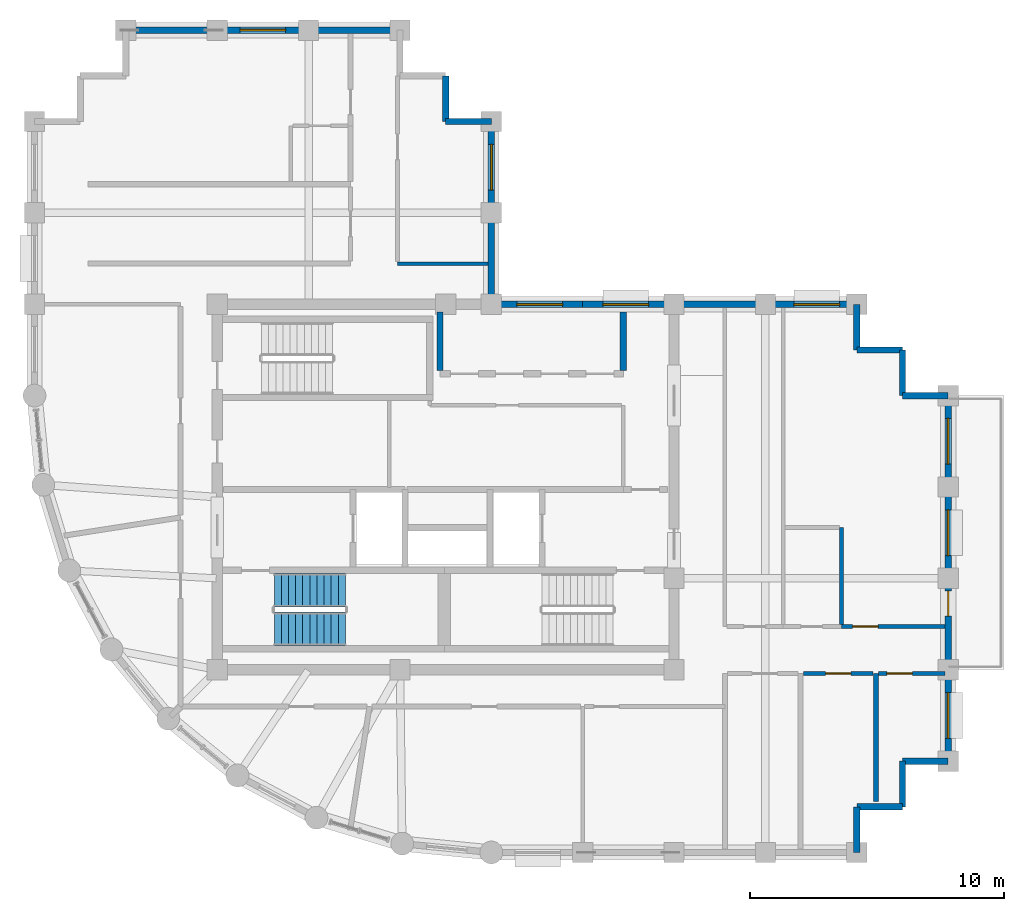
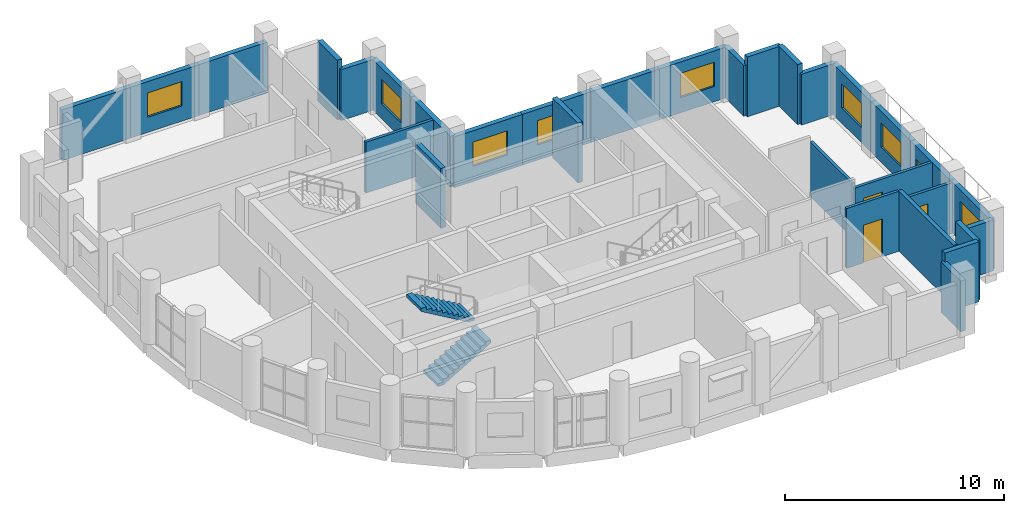
# One storey, part 9 of 12: 31 walls, 8 windows, 4 doors, 2 stair flights, 12 openings, 1 element without a shape of its own.
"""IFC4 building model written with IfcOpenShell, lengths in metres."""

import ifcopenshell
import ifcopenshell.guid

model = None  # the IFC model being written
_history = None  # IfcOwnerHistory: only IFC2X3 demands one
_inside = {}  # id of a spatial element -> (the spatial element, [elements in it])
_under = {}  # id of a project, library or spatial element -> (it, [spatial elements below it])
_declared = {}  # id of a project -> (the project, [libraries it declares])
_typed = {}  # id of a type object -> (the type object, [elements of that type])
_made_of = {}  # id of a material, layer set ... -> (it, [elements and type objects made of it])


def new_model(schema):
    """Start an empty IFC model of exactly this schema.

    Asked for "IFC4X3", IfcOpenShell would pick the latest addendum, in which some entities
    have other attributes; the version numbers below select the first issue.
    IFC2X3 requires an IfcOwnerHistory on every rooted entity: one is made here for all.
    """
    global model, _history
    if schema == "IFC4X3":
        model = ifcopenshell.file(schema_version=(4, 3, 0, 0))
    else:
        model = ifcopenshell.file(schema=schema)
    _inside.clear()
    _under.clear()
    _declared.clear()
    _typed.clear()
    _made_of.clear()
    _history = None
    if model.schema == "IFC2X3":
        org = make("IfcOrganization", Name="unknown")
        user = make(
            "IfcPersonAndOrganization",
            ThePerson=make("IfcPerson", FamilyName="unknown"),
            TheOrganization=org,
        )
        app = make(
            "IfcApplication",
            ApplicationDeveloper=org,
            Version="unknown",
            ApplicationFullName="unknown",
            ApplicationIdentifier="unknown",
        )
        _history = make(
            "IfcOwnerHistory",
            OwningUser=user,
            OwningApplication=app,
            ChangeAction="ADDED",
            CreationDate=0,
        )
    return model


def make(cls, **values):
    """One entity of the class cls with the attributes given. An attribute that is None is left unset."""
    return model.create_entity(
        cls, **{name: value for name, value in values.items() if value is not None}
    )


def rooted(cls, **values):
    """An entity with a GlobalId (a new one), such as an element, a storey or a relation."""
    return make(cls, GlobalId=ifcopenshell.guid.new(), OwnerHistory=_history, **values)


def si_unit(unit_type, name, prefix=None):
    """IfcSIUnit, for example si_unit("LENGTHUNIT", "METRE", prefix="MILLI")."""
    return make("IfcSIUnit", UnitType=unit_type, Prefix=prefix, Name=name)


def assignment(units):
    """IfcUnitAssignment: the units of a project."""
    return None if units is None else make("IfcUnitAssignment", Units=units)


def point(xyz):
    """IfcCartesianPoint."""
    return None if xyz is None else make("IfcCartesianPoint", Coordinates=xyz)


def direction(xyz):
    """IfcDirection."""
    return None if xyz is None else make("IfcDirection", DirectionRatios=xyz)


def frame(location, z_axis=None, x_axis=None):
    """IfcAxis2Placement3D, a coordinate frame: its origin and axes. An axis left out is left unset."""
    return make(
        "IfcAxis2Placement3D",
        Location=point(location),
        Axis=direction(z_axis),
        RefDirection=direction(x_axis),
    )


def frame_2d(location, x_axis=None):
    """IfcAxis2Placement2D, a coordinate frame in the plane: its origin and x axis."""
    return make(
        "IfcAxis2Placement2D", Location=point(location), RefDirection=direction(x_axis)
    )


def origin():
    """The frame at (0, 0, 0) with its axes left unset."""
    return frame((0.0, 0.0, 0.0))


def place(relative_to, where):
    """IfcLocalPlacement: puts the frame where relative to a parent placement (None: the world)."""
    return make(
        "IfcLocalPlacement", PlacementRelTo=relative_to, RelativePlacement=where
    )


def context(
    kind, dimensions, precision=None, world=None, true_north=None, identifier=None
):
    """IfcGeometricRepresentationContext, for example the 3D "Model" context."""
    return make(
        "IfcGeometricRepresentationContext",
        ContextIdentifier=identifier,
        ContextType=kind,
        CoordinateSpaceDimension=dimensions,
        Precision=precision,
        WorldCoordinateSystem=world,
        TrueNorth=true_north,
    )


def subcontext(parent, identifier, kind, view, scale=None):
    """IfcGeometricRepresentationSubContext, for example "Body" below "Model"."""
    return make(
        "IfcGeometricRepresentationSubContext",
        ContextIdentifier=identifier,
        ContextType=kind,
        ParentContext=parent,
        TargetScale=scale,
        TargetView=view,
    )


def project(units=None, contexts=None):
    """IfcProject with its units and contexts."""
    return rooted(
        "IfcProject",
        Name="project",
        RepresentationContexts=contexts,
        UnitsInContext=assignment(units),
    )


def spatial(cls, under=None, at=None, **own):
    """A site, building, storey or space (cls), placed at a placement, below another one or the project."""
    s = rooted(cls, ObjectPlacement=at, **own)
    if under is not None:
        _under.setdefault(under.id(), (under, []))[1].append(s)
    return s


def polyline(points):
    """IfcPolyline through the points."""
    return make("IfcPolyline", Points=[point(p) for p in points])


def profile(cls, at=None, kind="AREA", **sizes):
    """A parametric profile (cls). Its sizes go by their IFC names, for example OverallWidth=200.0."""
    return make(cls, ProfileType=kind, Position=at, **sizes)


def rectangle(**sizes):
    """IfcRectangleProfileDef."""
    return profile("IfcRectangleProfileDef", **sizes)


def outline(outer, holes=None, kind="AREA"):
    """IfcArbitraryClosedProfileDef: a profile drawn as a closed curve; with holes, ...WithVoids."""
    if holes is None:
        return make("IfcArbitraryClosedProfileDef", ProfileType=kind, OuterCurve=outer)
    return make(
        "IfcArbitraryProfileDefWithVoids",
        ProfileType=kind,
        OuterCurve=outer,
        InnerCurves=holes,
    )


def extrude(swept, where, along, depth):
    """IfcExtrudedAreaSolid: the profile swept, set in the frame where, extruded along a direction by depth."""
    return make(
        "IfcExtrudedAreaSolid",
        SweptArea=swept,
        Position=where,
        ExtrudedDirection=direction(along),
        Depth=depth,
    )


def shape(context_of_items, identifier, shape_type, items):
    """IfcShapeRepresentation: the items that make up one representation, for example the "Body"."""
    return make(
        "IfcShapeRepresentation",
        ContextOfItems=context_of_items,
        RepresentationIdentifier=identifier,
        RepresentationType=shape_type,
        Items=items,
    )


def material(Name=None, Category=None):
    """IfcMaterial."""
    return make("IfcMaterial", Name=Name, Category=Category)


def layer(
    of_material, thickness, ventilated=None, Name=None, Category=None, Priority=None
):
    """IfcMaterialLayer: one layer of a wall or slab, of a material (None: an air gap)."""
    return make(
        "IfcMaterialLayer",
        Material=of_material,
        LayerThickness=thickness,
        IsVentilated=ventilated,
        Name=Name,
        Category=Category,
        Priority=Priority,
    )


def layer_set(layers, Name=None):
    """IfcMaterialLayerSet."""
    return make("IfcMaterialLayerSet", MaterialLayers=layers, LayerSetName=Name)


def made_of(thing, what):
    """Note that an element or type object is made of a material, layer set ...; save() writes the relation."""
    if what is not None:
        _made_of.setdefault(what.id(), (what, []))[1].append(thing)
    return thing


def type_object(cls, material=None, **own):
    """A type object (cls), such as IfcWallType, which elements share."""
    return made_of(rooted(cls, **own), material)


def element(
    cls,
    number,
    at=None,
    inside=None,
    cuts=None,
    type_object=None,
    material=None,
    context=None,
    identifier="Body",
    shape_type=None,
    held_by="IfcProductDefinitionShape",
    body=None,
    shapes=None,
    **own,
):
    """One element of the class cls, such as IfcWall. Its Tag is "e" and its number.

    at: its placement. inside: the storey or other place that contains it. cuts: it is an
    opening in that element (IfcRelVoidsElement). A single representation is given by context,
    identifier, shape_type and body (its items); several are given by shapes. held_by: the class
    of the entity that holds the representations. save() writes the other relations.
    """
    e = rooted(cls, Tag="e%d" % number, ObjectPlacement=at, **own)
    if body is not None:
        shapes = [shape(context, identifier, shape_type, body)]
    if shapes is not None:
        e.Representation = make(held_by, Representations=shapes)
    if inside is not None:
        _inside.setdefault(inside.id(), (inside, []))[1].append(e)
    if cuts is not None:
        rooted(
            "IfcRelVoidsElement", RelatingBuildingElement=cuts, RelatedOpeningElement=e
        )
    if type_object is not None:
        _typed.setdefault(type_object.id(), (type_object, []))[1].append(e)
    return made_of(e, material)


def fill(opening, filler):
    """IfcRelFillsElement: the door or window that sits in an opening."""
    return rooted(
        "IfcRelFillsElement",
        RelatingOpeningElement=opening,
        RelatedBuildingElement=filler,
    )


def aggregate(whole, parts):
    """IfcRelAggregates: a whole, such as a stair, and the parts it consists of."""
    return rooted("IfcRelAggregates", RelatingObject=whole, RelatedObjects=parts)


def save(model, path):
    """Write the relations noted so far, then the file.

    IfcRelAggregates (storeys below a building ...), IfcRelContainedInSpatialStructure (elements
    in a storey), IfcRelDefinesByType, IfcRelAssociatesMaterial and IfcRelDeclares: one each for
    every whole, place, type object, material and project.
    """
    for whole, parts in _under.values():
        aggregate(whole, parts)
    for where, things in _inside.values():
        rooted(
            "IfcRelContainedInSpatialStructure",
            RelatedElements=things,
            RelatingStructure=where,
        )
    for kind, things in _typed.values():
        rooted("IfcRelDefinesByType", RelatedObjects=things, RelatingType=kind)
    for what, things in _made_of.values():
        rooted("IfcRelAssociatesMaterial", RelatedObjects=things, RelatingMaterial=what)
    for by, libraries in _declared.values():
        rooted("IfcRelDeclares", RelatingContext=by, RelatedDefinitions=libraries)
    model.write(path)


model = new_model("IFC4")

# Units and contexts
model_context = context("Model", 3, precision=1e-05, world=origin(), true_north=direction((0.0, 1.0)))
body_context = subcontext(model_context, "Body", "Model", "MODEL_VIEW")
ifc_project = project(units=[si_unit("LENGTHUNIT", "METRE"), si_unit("AREAUNIT", "SQUARE_METRE"), si_unit("VOLUMEUNIT", "CUBIC_METRE"), si_unit("PLANEANGLEUNIT", "RADIAN"), si_unit("MASSUNIT", "GRAM", prefix="KILO")], contexts=[model_context])

# Site, building, storey
site_placement = place(None, origin())
site = spatial("IfcSite", under=ifc_project, at=site_placement, CompositionType="ELEMENT")
building_placement = place(site_placement, origin())
building = spatial("IfcBuilding", under=site, at=building_placement, Name="Solnavia Interchange Tower", CompositionType="ELEMENT")
storey_placement = place(building_placement, frame((0.0, 0.0, 228.199951171875)))
storey = spatial("IfcBuildingStorey", under=building, at=storey_placement, Name="L57", CompositionType="ELEMENT", Elevation=228.199951171875)

# Walls
ifc_material_1 = material(Name="Gypsum Acoustic Twin-Stud & Mineral Wool", Category="gypsum")
ifc_layer_1 = layer(ifc_material_1, 0.199951171875)
ifc_layer_set_1 = layer_set([ifc_layer_1], Name="Gypsum Acoustic Twin-Stud & Mineral Wool")
wall_type_1 = type_object("IfcWallType", Name="Wall-ApartmentParty-200", PredefinedType="PARTITIONING", material=ifc_layer_set_1)
wall_1_placement = place(storey_placement, frame((40.35009765625, 5.60498046875, 0.0), z_axis=(0.0, 0.0, 1.0), x_axis=(0.0, 1.0, 0.0)))
element("IfcWall", 1, at=wall_1_placement, inside=storey, type_object=wall_type_1, Name="PTW-L57-20 Interior partition wall", PredefinedType="PARTITIONING", context=body_context, shape_type="SweptSolid", body=[
    extrude(rectangle(XDim=5.044921875, YDim=0.199951171875, at=frame_2d((2.5224609375, 0.0))), origin(), (0.0, 0.0, 1.0), 3.3349609375),
])
ifc_material_2 = material(Name="Concrete C40/50", Category="concrete")
ifc_layer_2 = layer(ifc_material_2, 0.25)
ifc_layer_set_2 = layer_set([ifc_layer_2], Name="Concrete C40/50")
wall_type_2 = type_object("IfcWallType", Name="Wall-ExtSpandrel-250", PredefinedType="STANDARD", material=ifc_layer_set_2)
wall_2_placement = place(storey_placement, frame((39.60009765625, 5.39990234375, 0.0), z_axis=(0.0, 0.0, 1.0), x_axis=(0.0, -1.0, 0.0)))
element("IfcWall", 2, at=wall_2_placement, inside=storey, type_object=wall_type_2, Name="EXW-L57-05 Exterior precast spandrel wall", PredefinedType="STANDARD", context=body_context, shape_type="SweptSolid", body=[
    extrude(rectangle(XDim=1.7998046875, YDim=0.25, at=frame_2d((0.89990234375, 0.0))), origin(), (0.0, 0.0, 1.0), 2.830078125),
])
wall_3_placement = place(storey_placement, frame((41.39990234375, 5.39990234375, 0.0), z_axis=(0.0, 0.0, 1.0), x_axis=(-1.0, 0.0, 0.0)))
element("IfcWall", 3, at=wall_3_placement, inside=storey, type_object=wall_type_2, Name="EXW-L57-06 Exterior precast spandrel wall", PredefinedType="STANDARD", context=body_context, shape_type="SweptSolid", body=[
    extrude(rectangle(XDim=1.7998046875, YDim=0.25, at=frame_2d((0.89990234375, 0.0))), origin(), (0.0, 0.0, 1.0), 3.3349609375),
])
wall_4_placement = place(storey_placement, frame((41.39990234375, 7.199951171875, 0.0), z_axis=(0.0, 0.0, 1.0), x_axis=(0.0, -1.0, 0.0)))
element("IfcWall", 4, at=wall_4_placement, inside=storey, type_object=wall_type_2, Name="EXW-L57-07 Exterior precast spandrel wall", PredefinedType="STANDARD", context=body_context, shape_type="SweptSolid", body=[
    extrude(rectangle(XDim=1.800048828125, YDim=0.25, at=frame_2d((0.89990234375, 0.0))), origin(), (0.0, 0.0, 1.0), 3.3349609375),
])
wall_5_placement = place(storey_placement, frame((43.199951171875, 7.199951171875, 0.0), z_axis=(0.0, 0.0, 1.0), x_axis=(-1.0, 0.0, 0.0)))
element("IfcWall", 5, at=wall_5_placement, inside=storey, type_object=wall_type_2, Name="EXW-L57-08 Exterior precast spandrel wall", PredefinedType="STANDARD", context=body_context, shape_type="SweptSolid", body=[
    extrude(rectangle(XDim=1.800048828125, YDim=0.25, at=frame_2d((0.89990234375, 0.0))), origin(), (0.0, 0.0, 1.0), 2.830078125),
])

# Wall, opening, window
wall_6_placement = place(storey_placement, frame((43.199951171875, 10.800048828125, 0.0), z_axis=(0.0, 0.0, 1.0), x_axis=(0.0, -1.0, 0.0)))
wall_6 = element("IfcWall", 6, at=wall_6_placement, inside=storey, type_object=wall_type_2, Name="EXW-L57-09 Exterior precast spandrel wall", PredefinedType="STANDARD", context=body_context, shape_type="SweptSolid", body=[
    extrude(rectangle(XDim=3.60009765625, YDim=0.25, at=frame_2d((1.800048828125, 0.0))), origin(), (0.0, 0.0, 1.0), 2.830078125),
])
opening_1_placement = place(wall_6_placement, frame((0.89990234375, 0.0, 0.85009765625)))
opening_1 = element("IfcOpeningElement", 7, at=opening_1_placement, cuts=wall_6, Name="Opening WIN-02", PredefinedType="OPENING", context=body_context, shape_type="SweptSolid", body=[
    extrude(rectangle(XDim=1.800048828125, YDim=1.35009765625, at=frame_2d((0.89990234375, 0.675048828125))), frame((0.0, 0.135009765625, 0.0), z_axis=(0.0, -1.0, 0.0), x_axis=(1.0, 0.0, 0.0)), (0.0, 0.0, 1.0), 0.27001953125),
])
ifc_material_3 = material(Name="Thermal-Break Aluminium & Low-E Glass", Category="aluminium")
window_type = type_object("IfcWindowType", Name="Window-Ribbon-1800x1350", PartitioningType="SINGLE_PANEL", PredefinedType="WINDOW", material=ifc_material_3)
window_1_placement = place(opening_1_placement, origin())
window_1 = element("IfcWindow", 8, at=window_1_placement, inside=storey, type_object=window_type, Name="WIN-L57-09 Facade ribbon window", OverallHeight=1.35009765625, OverallWidth=1.800048828125, PartitioningType="SINGLE_PANEL", PredefinedType="WINDOW", context=body_context, shape_type="SweptSolid", body=[
    extrude(rectangle(XDim=1.800048828125, YDim=1.35009765625, at=frame_2d((0.89990234375, 0.675048828125))), frame((0.0, 0.030029296875, 0.0), z_axis=(0.0, -1.0, 0.0), x_axis=(1.0, 0.0, 0.0)), (0.0, 0.0, 1.0), 0.06005859375),
])
fill(opening_1, window_1)

# Wall, opening, door
wall_7_placement = place(storey_placement, frame((43.199951171875, 14.39990234375, 0.0), z_axis=(0.0, 0.0, 1.0), x_axis=(0.0, -1.0, 0.0)))
wall_7 = element("IfcWall", 9, at=wall_7_placement, inside=storey, type_object=wall_type_2, Name="EXW-L57-10 Exterior precast spandrel wall", PredefinedType="STANDARD", context=body_context, shape_type="SweptSolid", body=[
    extrude(rectangle(XDim=3.599853515625, YDim=0.25, at=frame_2d((1.7998046875, 0.0))), origin(), (0.0, 0.0, 1.0), 2.830078125),
])
opening_2_placement = place(wall_7_placement, frame((0.490966796875, 0.0, 0.0)))
opening_2 = element("IfcOpeningElement", 10, at=opening_2_placement, cuts=wall_7, Name="Opening EXD-05", PredefinedType="OPENING", context=body_context, shape_type="SweptSolid", body=[
    extrude(rectangle(XDim=1.0, YDim=2.10009765625, at=frame_2d((0.5, 1.050048828125))), frame((0.0, 0.135009765625, 0.0), z_axis=(0.0, -1.0, 0.0), x_axis=(1.0, 0.0, 0.0)), (0.0, 0.0, 1.0), 0.27001953125),
])
ifc_material_4 = material(Name="Thermally Broken Aluminium & Laminated Glass", Category="aluminium")
door_type_1 = type_object("IfcDoorType", Name="Door-TerraceSingle-1000x2100", OperationType="SINGLE_SWING_LEFT", PredefinedType="DOOR", material=ifc_material_4)
door_1_placement = place(opening_2_placement, origin())
door_1 = element("IfcDoor", 11, at=door_1_placement, inside=storey, type_object=door_type_1, Name="EXD-L57-TER Spiral terrace glazed door", OperationType="SINGLE_SWING_LEFT", OverallHeight=2.10009765625, OverallWidth=1.0, PredefinedType="DOOR", context=body_context, shape_type="SweptSolid", body=[
    extrude(rectangle(XDim=1.0, YDim=2.10009765625, at=frame_2d((0.5, 1.050048828125))), frame((0.0, 0.02490234375, 0.0), z_axis=(0.0, -1.0, 0.0), x_axis=(1.0, 0.0, 0.0)), (0.0, 0.0, 1.0), 0.050048828125),
])
fill(opening_2, door_1)

# Wall, opening, window
wall_8_placement = place(storey_placement, frame((43.199951171875, 18.0, 0.0), z_axis=(0.0, 0.0, 1.0), x_axis=(0.0, -1.0, 0.0)))
wall_8 = element("IfcWall", 12, at=wall_8_placement, inside=storey, type_object=wall_type_2, Name="EXW-L57-11 Exterior precast spandrel wall", PredefinedType="STANDARD", context=body_context, shape_type="SweptSolid", body=[
    extrude(rectangle(XDim=3.60009765625, YDim=0.25, at=frame_2d((1.800048828125, 0.0))), origin(), (0.0, 0.0, 1.0), 2.830078125),
])
opening_3_placement = place(wall_8_placement, frame((0.89990234375, 0.0, 0.85009765625)))
opening_3 = element("IfcOpeningElement", 13, at=opening_3_placement, cuts=wall_8, Name="Opening WIN-02", PredefinedType="OPENING", context=body_context, shape_type="SweptSolid", body=[
    extrude(rectangle(XDim=1.800048828125, YDim=1.35009765625, at=frame_2d((0.89990234375, 0.675048828125))), frame((0.0, 0.135009765625, 0.0), z_axis=(0.0, -1.0, 0.0), x_axis=(1.0, 0.0, 0.0)), (0.0, 0.0, 1.0), 0.27001953125),
])
window_2_placement = place(opening_3_placement, origin())
window_2 = element("IfcWindow", 14, at=window_2_placement, inside=storey, type_object=window_type, Name="WIN-L57-11 Facade ribbon window", OverallHeight=1.35009765625, OverallWidth=1.800048828125, PartitioningType="SINGLE_PANEL", PredefinedType="WINDOW", context=body_context, shape_type="SweptSolid", body=[
    extrude(rectangle(XDim=1.800048828125, YDim=1.35009765625, at=frame_2d((0.89990234375, 0.675048828125))), frame((0.0, 0.030029296875, 0.0), z_axis=(0.0, -1.0, 0.0), x_axis=(1.0, 0.0, 0.0)), (0.0, 0.0, 1.0), 0.06005859375),
])
fill(opening_3, window_2)

wall_9_placement = place(storey_placement, frame((43.199951171875, 21.60009765625, 0.0), z_axis=(0.0, 0.0, 1.0), x_axis=(0.0, -1.0, 0.0)))
wall_9 = element("IfcWall", 15, at=wall_9_placement, inside=storey, type_object=wall_type_2, Name="EXW-L57-12 Exterior precast spandrel wall", PredefinedType="STANDARD", context=body_context, shape_type="SweptSolid", body=[
    extrude(rectangle(XDim=3.60009765625, YDim=0.25, at=frame_2d((1.800048828125, 0.0))), origin(), (0.0, 0.0, 1.0), 2.830078125),
])
opening_4_placement = place(wall_9_placement, frame((0.89990234375, 0.0, 0.85009765625)))
opening_4 = element("IfcOpeningElement", 16, at=opening_4_placement, cuts=wall_9, Name="Opening WIN-02", PredefinedType="OPENING", context=body_context, shape_type="SweptSolid", body=[
    extrude(rectangle(XDim=1.800048828125, YDim=1.35009765625, at=frame_2d((0.89990234375, 0.675048828125))), frame((0.0, 0.135009765625, 0.0), z_axis=(0.0, -1.0, 0.0), x_axis=(1.0, 0.0, 0.0)), (0.0, 0.0, 1.0), 0.27001953125),
])
window_3_placement = place(opening_4_placement, origin())
window_3 = element("IfcWindow", 17, at=window_3_placement, inside=storey, type_object=window_type, Name="WIN-L57-12 Facade ribbon window", OverallHeight=1.35009765625, OverallWidth=1.800048828125, PartitioningType="SINGLE_PANEL", PredefinedType="WINDOW", context=body_context, shape_type="SweptSolid", body=[
    extrude(rectangle(XDim=1.800048828125, YDim=1.35009765625, at=frame_2d((0.89990234375, 0.675048828125))), frame((0.0, 0.030029296875, 0.0), z_axis=(0.0, -1.0, 0.0), x_axis=(1.0, 0.0, 0.0)), (0.0, 0.0, 1.0), 0.06005859375),
])
fill(opening_4, window_3)

# Walls
wall_10_placement = place(storey_placement, frame((41.39990234375, 21.60009765625, 0.0), z_axis=(0.0, 0.0, 1.0), x_axis=(1.0, 0.0, 0.0)))
element("IfcWall", 18, at=wall_10_placement, inside=storey, type_object=wall_type_2, Name="EXW-L57-13 Exterior precast spandrel wall", PredefinedType="STANDARD", context=body_context, shape_type="SweptSolid", body=[
    extrude(rectangle(XDim=1.800048828125, YDim=0.25, at=frame_2d((0.89990234375, 0.0))), origin(), (0.0, 0.0, 1.0), 2.830078125),
])
for number, where, z_axis, x_axis, name in (
    (19, (41.39990234375, 23.39990234375, 0.0), (0.0, 0.0, 1.0), (0.0, -1.0, 0.0), "EXW-L57-14 Exterior precast spandrel wall"),
    (20, (39.60009765625, 23.39990234375, 0.0), (0.0, 0.0, 1.0), (1.0, 0.0, 0.0), "EXW-L57-15 Exterior precast spandrel wall"),
):
    element("IfcWall", number, at=place(storey_placement, frame(where, z_axis=z_axis, x_axis=x_axis)), inside=storey, type_object=wall_type_2, Name=name, PredefinedType="STANDARD", context=body_context, shape_type="SweptSolid", body=[
        extrude(rectangle(XDim=1.7998046875, YDim=0.25, at=frame_2d((0.89990234375, 0.0))), origin(), (0.0, 0.0, 1.0), 3.3349609375),
    ])
wall_11_placement = place(storey_placement, frame((39.60009765625, 25.199951171875, 0.0), z_axis=(0.0, 0.0, 1.0), x_axis=(0.0, -1.0, 0.0)))
element("IfcWall", 21, at=wall_11_placement, inside=storey, type_object=wall_type_2, Name="EXW-L57-16 Exterior precast spandrel wall", PredefinedType="STANDARD", context=body_context, shape_type="SweptSolid", body=[
    extrude(rectangle(XDim=1.800048828125, YDim=0.25, at=frame_2d((0.89990234375, 0.0))), origin(), (0.0, 0.0, 1.0), 2.830078125),
])

# Wall, opening, window
wall_12_placement = place(storey_placement, frame((36.0, 25.199951171875, 0.0), z_axis=(0.0, 0.0, 1.0), x_axis=(1.0, 0.0, 0.0)))
wall_12 = element("IfcWall", 22, at=wall_12_placement, inside=storey, type_object=wall_type_2, Name="EXW-L57-17 Exterior precast spandrel wall", PredefinedType="STANDARD", context=body_context, shape_type="SweptSolid", body=[
    extrude(rectangle(XDim=3.60009765625, YDim=0.25, at=frame_2d((1.800048828125, 0.0))), origin(), (0.0, 0.0, 1.0), 2.830078125),
])
opening_5_placement = place(wall_12_placement, frame((1.1201171875, 0.0, 0.85009765625)))
opening_5 = element("IfcOpeningElement", 23, at=opening_5_placement, cuts=wall_12, Name="Opening WIN-02", PredefinedType="OPENING", context=body_context, shape_type="SweptSolid", body=[
    extrude(rectangle(XDim=1.800048828125, YDim=1.35009765625, at=frame_2d((0.89990234375, 0.675048828125))), frame((0.0, 0.135009765625, 0.0), z_axis=(0.0, -1.0, 0.0), x_axis=(1.0, 0.0, 0.0)), (0.0, 0.0, 1.0), 0.27001953125),
])
window_4_placement = place(opening_5_placement, origin())
window_4 = element("IfcWindow", 24, at=window_4_placement, inside=storey, type_object=window_type, Name="WIN-L57-17 Facade ribbon window", OverallHeight=1.35009765625, OverallWidth=1.800048828125, PartitioningType="SINGLE_PANEL", PredefinedType="WINDOW", context=body_context, shape_type="SweptSolid", body=[
    extrude(rectangle(XDim=1.800048828125, YDim=1.35009765625, at=frame_2d((0.89990234375, 0.675048828125))), frame((0.0, 0.030029296875, 0.0), z_axis=(0.0, -1.0, 0.0), x_axis=(1.0, 0.0, 0.0)), (0.0, 0.0, 1.0), 0.06005859375),
])
fill(opening_5, window_4)

# Wall
wall_13_placement = place(storey_placement, frame((32.39990234375, 25.199951171875, 0.0), z_axis=(0.0, 0.0, 1.0), x_axis=(1.0, 0.0, 0.0)))
element("IfcWall", 25, at=wall_13_placement, inside=storey, type_object=wall_type_2, Name="EXW-L57-18 Exterior precast spandrel wall", PredefinedType="STANDARD", context=body_context, shape_type="SweptSolid", body=[
    extrude(rectangle(XDim=3.60009765625, YDim=0.25, at=frame_2d((1.800048828125, 0.0))), origin(), (0.0, 0.0, 1.0), 2.830078125),
])

# Wall, opening, window
wall_14_placement = place(storey_placement, frame((28.800048828125, 25.199951171875, 0.0), z_axis=(0.0, 0.0, 1.0), x_axis=(1.0, 0.0, 0.0)))
wall_14 = element("IfcWall", 26, at=wall_14_placement, inside=storey, type_object=wall_type_2, Name="EXW-L57-19 Exterior precast spandrel wall", PredefinedType="STANDARD", context=body_context, shape_type="SweptSolid", body=[
    extrude(rectangle(XDim=3.599853515625, YDim=0.25, at=frame_2d((1.7998046875, 0.0))), origin(), (0.0, 0.0, 1.0), 2.830078125),
])
opening_6_placement = place(wall_14_placement, frame((0.794921875, 0.0, 0.85009765625)))
opening_6 = element("IfcOpeningElement", 27, at=opening_6_placement, cuts=wall_14, Name="Opening WIN-02", PredefinedType="OPENING", context=body_context, shape_type="SweptSolid", body=[
    extrude(rectangle(XDim=1.800048828125, YDim=1.35009765625, at=frame_2d((0.89990234375, 0.675048828125))), frame((0.0, 0.135009765625, 0.0), z_axis=(0.0, -1.0, 0.0), x_axis=(1.0, 0.0, 0.0)), (0.0, 0.0, 1.0), 0.27001953125),
])
window_5_placement = place(opening_6_placement, origin())
window_5 = element("IfcWindow", 28, at=window_5_placement, inside=storey, type_object=window_type, Name="WIN-L57-19 Facade ribbon window", OverallHeight=1.35009765625, OverallWidth=1.800048828125, PartitioningType="SINGLE_PANEL", PredefinedType="WINDOW", context=body_context, shape_type="SweptSolid", body=[
    extrude(rectangle(XDim=1.800048828125, YDim=1.35009765625, at=frame_2d((0.89990234375, 0.675048828125))), frame((0.0, 0.030029296875, 0.0), z_axis=(0.0, -1.0, 0.0), x_axis=(1.0, 0.0, 0.0)), (0.0, 0.0, 1.0), 0.06005859375),
])
fill(opening_6, window_5)

wall_15_placement = place(storey_placement, frame((25.199951171875, 25.199951171875, 0.0), z_axis=(0.0, 0.0, 1.0), x_axis=(1.0, 0.0, 0.0)))
wall_15 = element("IfcWall", 29, at=wall_15_placement, inside=storey, type_object=wall_type_2, Name="EXW-L57-20 Exterior precast spandrel wall", PredefinedType="STANDARD", context=body_context, shape_type="SweptSolid", body=[
    extrude(rectangle(XDim=3.60009765625, YDim=0.25, at=frame_2d((1.800048828125, 0.0))), origin(), (0.0, 0.0, 1.0), 2.830078125),
])
opening_7_placement = place(wall_15_placement, frame((1.0048828125, 0.0, 0.85009765625)))
opening_7 = element("IfcOpeningElement", 30, at=opening_7_placement, cuts=wall_15, Name="Opening WIN-02", PredefinedType="OPENING", context=body_context, shape_type="SweptSolid", body=[
    extrude(rectangle(XDim=1.800048828125, YDim=1.35009765625, at=frame_2d((0.89990234375, 0.675048828125))), frame((0.0, 0.135009765625, 0.0), z_axis=(0.0, -1.0, 0.0), x_axis=(1.0, 0.0, 0.0)), (0.0, 0.0, 1.0), 0.27001953125),
])
window_6_placement = place(opening_7_placement, origin())
window_6 = element("IfcWindow", 31, at=window_6_placement, inside=storey, type_object=window_type, Name="WIN-L57-20 Facade ribbon window", OverallHeight=1.35009765625, OverallWidth=1.800048828125, PartitioningType="SINGLE_PANEL", PredefinedType="WINDOW", context=body_context, shape_type="SweptSolid", body=[
    extrude(rectangle(XDim=1.800048828125, YDim=1.35009765625, at=frame_2d((0.89990234375, 0.675048828125))), frame((0.0, 0.030029296875, 0.0), z_axis=(0.0, -1.0, 0.0), x_axis=(1.0, 0.0, 0.0)), (0.0, 0.0, 1.0), 0.06005859375),
])
fill(opening_7, window_6)

# Wall
wall_16_placement = place(storey_placement, frame((25.199951171875, 28.800048828125, 0.0), z_axis=(0.0, 0.0, 1.0), x_axis=(0.0, -1.0, 0.0)))
element("IfcWall", 32, at=wall_16_placement, inside=storey, type_object=wall_type_2, Name="EXW-L57-21 Exterior precast spandrel wall", PredefinedType="STANDARD", context=body_context, shape_type="SweptSolid", body=[
    extrude(rectangle(XDim=3.60009765625, YDim=0.25, at=frame_2d((1.800048828125, 0.0))), origin(), (0.0, 0.0, 1.0), 2.830078125),
])

# Wall, opening, window
wall_17_placement = place(storey_placement, frame((25.199951171875, 32.39990234375, 0.0), z_axis=(0.0, 0.0, 1.0), x_axis=(0.0, -1.0, 0.0)))
wall_17 = element("IfcWall", 33, at=wall_17_placement, inside=storey, type_object=wall_type_2, Name="EXW-L57-22 Exterior precast spandrel wall", PredefinedType="STANDARD", context=body_context, shape_type="SweptSolid", body=[
    extrude(rectangle(XDim=3.599853515625, YDim=0.25, at=frame_2d((1.7998046875, 0.0))), origin(), (0.0, 0.0, 1.0), 2.830078125),
])
opening_8_placement = place(wall_17_placement, frame((0.89990234375, 0.0, 0.85009765625)))
opening_8 = element("IfcOpeningElement", 34, at=opening_8_placement, cuts=wall_17, Name="Opening WIN-02", PredefinedType="OPENING", context=body_context, shape_type="SweptSolid", body=[
    extrude(rectangle(XDim=1.800048828125, YDim=1.35009765625, at=frame_2d((0.89990234375, 0.675048828125))), frame((0.0, 0.135009765625, 0.0), z_axis=(0.0, -1.0, 0.0), x_axis=(1.0, 0.0, 0.0)), (0.0, 0.0, 1.0), 0.27001953125),
])
window_7_placement = place(opening_8_placement, origin())
window_7 = element("IfcWindow", 35, at=window_7_placement, inside=storey, type_object=window_type, Name="WIN-L57-22 Facade ribbon window", OverallHeight=1.35009765625, OverallWidth=1.800048828125, PartitioningType="SINGLE_PANEL", PredefinedType="WINDOW", context=body_context, shape_type="SweptSolid", body=[
    extrude(rectangle(XDim=1.800048828125, YDim=1.35009765625, at=frame_2d((0.89990234375, 0.675048828125))), frame((0.0, 0.030029296875, 0.0), z_axis=(0.0, -1.0, 0.0), x_axis=(1.0, 0.0, 0.0)), (0.0, 0.0, 1.0), 0.06005859375),
])
fill(opening_8, window_7)

# Walls
wall_18_placement = place(storey_placement, frame((23.39990234375, 32.39990234375, 0.0), z_axis=(0.0, 0.0, 1.0), x_axis=(1.0, 0.0, 0.0)))
element("IfcWall", 36, at=wall_18_placement, inside=storey, type_object=wall_type_2, Name="EXW-L57-23 Exterior precast spandrel wall", PredefinedType="STANDARD", context=body_context, shape_type="SweptSolid", body=[
    extrude(rectangle(XDim=1.800048828125, YDim=0.25, at=frame_2d((0.89990234375, 0.0))), origin(), (0.0, 0.0, 1.0), 2.830078125),
])
wall_19_placement = place(storey_placement, frame((23.39990234375, 32.39990234375, 0.0), z_axis=(0.0, 0.0, 1.0), x_axis=(0.0, 1.0, 0.0)))
element("IfcWall", 37, at=wall_19_placement, inside=storey, type_object=wall_type_2, Name="EXW-L57-24 Exterior precast spandrel wall", PredefinedType="STANDARD", context=body_context, shape_type="SweptSolid", body=[
    extrude(rectangle(XDim=1.800048828125, YDim=0.25, at=frame_2d((0.89990234375, 0.0))), origin(), (0.0, 0.0, 1.0), 3.3349609375),
])
wall_20_placement = place(storey_placement, frame((18.0, 36.0, 0.0), z_axis=(0.0, 0.0, 1.0), x_axis=(1.0, 0.0, 0.0)))
element("IfcWall", 38, at=wall_20_placement, inside=storey, type_object=wall_type_2, Name="EXW-L57-27 Exterior precast spandrel wall", PredefinedType="STANDARD", context=body_context, shape_type="SweptSolid", body=[
    extrude(rectangle(XDim=3.60009765625, YDim=0.25, at=frame_2d((1.800048828125, 0.0))), origin(), (0.0, 0.0, 1.0), 2.830078125),
])

# Wall, opening, window
wall_21_placement = place(storey_placement, frame((14.39990234375, 36.0, 0.0), z_axis=(0.0, 0.0, 1.0), x_axis=(1.0, 0.0, 0.0)))
wall_21 = element("IfcWall", 39, at=wall_21_placement, inside=storey, type_object=wall_type_2, Name="EXW-L57-28 Exterior precast spandrel wall", PredefinedType="STANDARD", context=body_context, shape_type="SweptSolid", body=[
    extrude(rectangle(XDim=3.60009765625, YDim=0.25, at=frame_2d((1.800048828125, 0.0))), origin(), (0.0, 0.0, 1.0), 2.830078125),
])
opening_9_placement = place(wall_21_placement, frame((0.89990234375, 0.0, 0.85009765625)))
opening_9 = element("IfcOpeningElement", 40, at=opening_9_placement, cuts=wall_21, Name="Opening WIN-02", PredefinedType="OPENING", context=body_context, shape_type="SweptSolid", body=[
    extrude(rectangle(XDim=1.800048828125, YDim=1.35009765625, at=frame_2d((0.89990234375, 0.675048828125))), frame((0.0, 0.135009765625, 0.0), z_axis=(0.0, -1.0, 0.0), x_axis=(1.0, 0.0, 0.0)), (0.0, 0.0, 1.0), 0.27001953125),
])
window_8_placement = place(opening_9_placement, origin())
window_8 = element("IfcWindow", 41, at=window_8_placement, inside=storey, type_object=window_type, Name="WIN-L57-28 Facade ribbon window", OverallHeight=1.35009765625, OverallWidth=1.800048828125, PartitioningType="SINGLE_PANEL", PredefinedType="WINDOW", context=body_context, shape_type="SweptSolid", body=[
    extrude(rectangle(XDim=1.800048828125, YDim=1.35009765625, at=frame_2d((0.89990234375, 0.675048828125))), frame((0.0, 0.030029296875, 0.0), z_axis=(0.0, -1.0, 0.0), x_axis=(1.0, 0.0, 0.0)), (0.0, 0.0, 1.0), 0.06005859375),
])
fill(opening_9, window_8)

# Wall
wall_22_placement = place(storey_placement, frame((10.800048828125, 36.0, 0.0), z_axis=(0.0, 0.0, 1.0), x_axis=(1.0, 0.0, 0.0)))
element("IfcWall", 42, at=wall_22_placement, inside=storey, type_object=wall_type_2, Name="EXW-L57-29 Exterior precast spandrel wall", PredefinedType="STANDARD", context=body_context, shape_type="SweptSolid", body=[
    extrude(rectangle(XDim=3.599853515625, YDim=0.25, at=frame_2d((1.7998046875, 0.0))), origin(), (0.0, 0.0, 1.0), 2.830078125),
])

# Wall, opening, door
ifc_material_5 = material(Name="Gypsum Plasterboard & Steel Stud", Category="steel")
ifc_layer_3 = layer(ifc_material_5, 0.14990234375)
ifc_layer_set_3 = layer_set([ifc_layer_3], Name="Gypsum Plasterboard & Steel Stud")
wall_type_3 = type_object("IfcWallType", Name="Wall-Partition-150", PredefinedType="PARTITIONING", material=ifc_layer_set_3)
wall_23_placement = place(storey_placement, frame((37.493896484375, 10.64990234375, 0.0), z_axis=(0.0, 0.0, 1.0), x_axis=(1.0, 0.0, 0.0)))
wall_23 = element("IfcWall", 43, at=wall_23_placement, inside=storey, type_object=wall_type_3, Name="PTW-L57-21 Interior partition wall", PredefinedType="PARTITIONING", context=body_context, shape_type="SweptSolid", body=[
    extrude(rectangle(XDim=2.752197265625, YDim=0.14990234375, at=frame_2d((1.3759765625, 0.0))), origin(), (0.0, 0.0, 1.0), 3.3349609375),
])
opening_10_placement = place(wall_23_placement, frame((0.8759765625, 0.0, 0.0)))
opening_10 = element("IfcOpeningElement", 44, at=opening_10_placement, cuts=wall_23, Name="Opening DR-07", PredefinedType="OPENING", context=body_context, shape_type="SweptSolid", body=[
    extrude(rectangle(XDim=1.0, YDim=2.10009765625, at=frame_2d((0.5, 1.050048828125))), frame((0.0, 0.0849609375, 0.0), z_axis=(0.0, -1.0, 0.0), x_axis=(1.0, 0.0, 0.0)), (0.0, 0.0, 1.0), 0.169921875),
])
ifc_material_6 = material(Name="Timber & Acoustic Glazed Office Door", Category="wood")
door_type_2 = type_object("IfcDoorType", Name="Door-Office-1000x2100", OperationType="SINGLE_SWING_RIGHT", PredefinedType="DOOR", material=ifc_material_6)
door_2_placement = place(opening_10_placement, origin())
door_2 = element("IfcDoor", 45, at=door_2_placement, inside=storey, type_object=door_type_2, Name="DR-L57-09 Interior room door", OperationType="SINGLE_SWING_RIGHT", OverallHeight=2.10009765625, OverallWidth=1.0, PredefinedType="DOOR", context=body_context, shape_type="SweptSolid", body=[
    extrude(rectangle(XDim=1.0, YDim=2.10009765625, at=frame_2d((0.5, 1.050048828125))), frame((0.0, 0.02490234375, 0.0), z_axis=(0.0, -1.0, 0.0), x_axis=(1.0, 0.0, 0.0)), (0.0, 0.0, 1.0), 0.050048828125),
])
fill(opening_10, door_2)

wall_24_placement = place(storey_placement, frame((40.4541015625, 10.64990234375, 0.0), z_axis=(0.0, 0.0, 1.0), x_axis=(1.0, 0.0, 0.0)))
wall_24 = element("IfcWall", 46, at=wall_24_placement, inside=storey, type_object=wall_type_3, Name="PTW-L57-22 Interior partition wall", PredefinedType="PARTITIONING", context=body_context, shape_type="SweptSolid", body=[
    extrude(rectangle(XDim=2.616943359375, YDim=0.14990234375, at=frame_2d((1.30859375, 0.0))), origin(), (0.0, 0.0, 1.0), 2.830078125),
])
opening_11_placement = place(wall_24_placement, frame((0.3310546875, 0.0, 0.0)))
opening_11 = element("IfcOpeningElement", 47, at=opening_11_placement, cuts=wall_24, Name="Opening DR-07", PredefinedType="OPENING", context=body_context, shape_type="SweptSolid", body=[
    extrude(rectangle(XDim=1.0, YDim=2.10009765625, at=frame_2d((0.5, 1.050048828125))), frame((0.0, 0.0849609375, 0.0), z_axis=(0.0, -1.0, 0.0), x_axis=(1.0, 0.0, 0.0)), (0.0, 0.0, 1.0), 0.169921875),
])
door_3_placement = place(opening_11_placement, origin())
door_3 = element("IfcDoor", 48, at=door_3_placement, inside=storey, type_object=door_type_2, Name="DR-L57-10 Interior room door", OperationType="SINGLE_SWING_LEFT", OverallHeight=2.10009765625, OverallWidth=1.0, PredefinedType="DOOR", context=body_context, shape_type="SweptSolid", body=[
    extrude(rectangle(XDim=1.0, YDim=2.10009765625, at=frame_2d((0.5, 1.050048828125))), frame((0.0, 0.02490234375, 0.0), z_axis=(0.0, -1.0, 0.0), x_axis=(1.0, 0.0, 0.0)), (0.0, 0.0, 1.0), 0.050048828125),
])
fill(opening_11, door_3)

wall_25_placement = place(storey_placement, frame((39.0, 12.5, 0.0), z_axis=(0.0, 0.0, 1.0), x_axis=(1.0, 0.0, 0.0)))
wall_25 = element("IfcWall", 49, at=wall_25_placement, inside=storey, type_object=wall_type_3, Name="PTW-L57-23 Interior partition wall", PredefinedType="PARTITIONING", context=body_context, shape_type="SweptSolid", body=[
    extrude(rectangle(XDim=4.071044921875, YDim=0.14990234375, at=frame_2d((2.03564453125, 0.0))), origin(), (0.0, 0.0, 1.0), 2.830078125),
])
opening_12_placement = place(wall_25_placement, frame((0.43798828125, 0.0, 0.0)))
opening_12 = element("IfcOpeningElement", 50, at=opening_12_placement, cuts=wall_25, Name="Opening DR-07", PredefinedType="OPENING", context=body_context, shape_type="SweptSolid", body=[
    extrude(rectangle(XDim=1.0, YDim=2.10009765625, at=frame_2d((0.5, 1.050048828125))), frame((0.0, 0.0849609375, 0.0), z_axis=(0.0, -1.0, 0.0), x_axis=(1.0, 0.0, 0.0)), (0.0, 0.0, 1.0), 0.169921875),
])
door_4_placement = place(opening_12_placement, origin())
door_4 = element("IfcDoor", 51, at=door_4_placement, inside=storey, type_object=door_type_2, Name="DR-L57-11 Interior room door", OperationType="SINGLE_SWING_RIGHT", OverallHeight=2.10009765625, OverallWidth=1.0, PredefinedType="DOOR", context=body_context, shape_type="SweptSolid", body=[
    extrude(rectangle(XDim=1.0, YDim=2.10009765625, at=frame_2d((0.5, 1.050048828125))), frame((0.0, 0.02490234375, 0.0), z_axis=(0.0, -1.0, 0.0), x_axis=(1.0, 0.0, 0.0)), (0.0, 0.0, 1.0), 0.050048828125),
])
fill(opening_12, door_4)

# Walls
wall_26_placement = place(storey_placement, frame((21.5, 26.800048828125, 0.0), z_axis=(0.0, 0.0, 1.0), x_axis=(1.0, 0.0, 0.0)))
element("IfcWall", 52, at=wall_26_placement, inside=storey, type_object=wall_type_3, Name="PTW-L57-31 Interior partition wall", PredefinedType="PARTITIONING", context=body_context, shape_type="SweptSolid", body=[
    extrude(rectangle(XDim=3.571044921875, YDim=0.14990234375, at=frame_2d((1.78564453125, 0.0))), origin(), (0.0, 0.0, 1.0), 2.830078125),
])
ifc_layer_4 = layer(ifc_material_2, 0.25)
ifc_layer_set_4 = layer_set([ifc_layer_4], Name="Concrete C40/50")
wall_type_4 = type_object("IfcWallType", Name="Wall-ShaftPart-250", PredefinedType="PARTITIONING", material=ifc_layer_set_4)
for number, where, z_axis, x_axis, name in (
    (53, (23.179931640625, 22.5849609375, 0.0), (0.0, 0.0, 1.0), (0.0, 1.0, 0.0), "SHW-L57-B3W Core shaft wall"),
    (54, (30.39990234375, 22.5849609375, 0.0), (0.0, 0.0, 1.0), (0.0, 1.0, 0.0), "SHW-L57-B3E Core shaft wall"),
):
    element("IfcWall", number, at=place(storey_placement, frame(where, z_axis=z_axis, x_axis=x_axis)), inside=storey, type_object=wall_type_4, Name=name, PredefinedType="PARTITIONING", context=body_context, shape_type="SweptSolid", body=[
        extrude(rectangle(XDim=2.31494140625, YDim=0.25, at=frame_2d((1.157470703125, 0.0))), origin(), (0.0, 0.0, 1.0), 3.3349609375),
    ])
ifc_material_7 = material(Name="Moisture-Resistant Gypsum & Steel Stud", Category="steel")
ifc_layer_5 = layer(ifc_material_7, 0.14990234375)
ifc_layer_set_5 = layer_set([ifc_layer_5], Name="Moisture-Resistant Gypsum & Steel Stud")
wall_type_5 = type_object("IfcWallType", Name="Wall-WetRoom-150", PredefinedType="PARTITIONING", material=ifc_layer_set_5)
wall_27_placement = place(storey_placement, frame((39.0, 12.5791015625, 0.0), z_axis=(0.0, 0.0, 1.0), x_axis=(0.0, 1.0, 0.0)))
element("IfcWall", 55, at=wall_27_placement, inside=storey, type_object=wall_type_5, Name="PTW-L57-05 Interior partition wall", PredefinedType="PARTITIONING", context=body_context, shape_type="SweptSolid", body=[
    extrude(rectangle(XDim=3.82080078125, YDim=0.14990234375, at=frame_2d((1.910400390625, 0.0))), origin(), (0.0, 0.0, 1.0), 3.030029296875),
])

# Stair, stair flights
stair_type = type_object("IfcStairType", Name="Stair-Dogleg-RC", PredefinedType="HALF_TURN_STAIR", material=ifc_material_2)
stair_placement = place(storey_placement, origin())
stair = element("IfcStair", 56, at=stair_placement, inside=storey, type_object=stair_type, Name="L57 Core exit stair 1", PredefinedType="HALF_TURN_STAIR")
stair_flight_type = type_object("IfcStairFlightType", Name="StairFlight-RC-150", PredefinedType="STRAIGHT", material=ifc_material_2)
stair_flight_1_placement = place(storey_placement, frame((16.64990234375, 12.409912109375, 0.0), z_axis=(0.0, 0.0, 1.0), x_axis=(1.0, 0.0, 0.0)))
stair_flight_1 = element("IfcStairFlight", 57, at=stair_flight_1_placement, type_object=stair_flight_type, Name="ST-1 flight 1", NumberOfRisers=11, NumberOfTreads=10, PredefinedType="STRAIGHT", RiserHeight=0.163636364, TreadLength=0.28, context=body_context, shape_type="SweptSolid", body=[
    extrude(outline(polyline([(0.0, 0.0), (0.0, 0.16357421875), (0.280029296875, 0.16357421875), (0.280029296875, 0.327392578125), (0.56005859375, 0.327392578125), (0.56005859375, 0.490966796875), (0.840087890625, 0.490966796875), (0.840087890625, 0.654541015625), (1.1201171875, 0.654541015625), (1.1201171875, 0.818115234375), (1.39990234375, 0.818115234375), (1.39990234375, 0.98193359375), (1.679931640625, 0.98193359375), (1.679931640625, 1.1455078125), (1.9599609375, 1.1455078125), (1.9599609375, 1.30908203125), (2.239990234375, 1.30908203125), (2.239990234375, 1.47265625), (2.52001953125, 1.47265625), (2.52001953125, 1.636474609375), (2.800048828125, 1.636474609375), (2.800048828125, 1.800048828125), (2.800048828125, 1.462646484375), (0.297119140625, 0.0), (0.0, 0.0)])), frame((0.0, 0.66015625, 0.0), z_axis=(0.0, -1.0, 0.0), x_axis=(1.0, 0.0, 0.0)), (0.0, 0.0, 1.0), 1.320068359375),
])
stair_flight_2_placement = place(storey_placement, frame((19.449951171875, 13.929931640625, 1.800048828125), z_axis=(0.0, 0.0, 1.0), x_axis=(-1.0, 0.0, 0.0)))
stair_flight_2 = element("IfcStairFlight", 58, at=stair_flight_2_placement, type_object=stair_flight_type, Name="ST-1 flight 2", NumberOfRisers=11, NumberOfTreads=10, PredefinedType="STRAIGHT", RiserHeight=0.163636364, TreadLength=0.28, context=body_context, shape_type="SweptSolid", body=[
    extrude(outline(polyline([(0.0, 0.0), (0.0, 0.16357421875), (0.280029296875, 0.16357421875), (0.280029296875, 0.327392578125), (0.56005859375, 0.327392578125), (0.56005859375, 0.490966796875), (0.840087890625, 0.490966796875), (0.840087890625, 0.654541015625), (1.1201171875, 0.654541015625), (1.1201171875, 0.818115234375), (1.39990234375, 0.818115234375), (1.39990234375, 0.98193359375), (1.679931640625, 0.98193359375), (1.679931640625, 1.1455078125), (1.9599609375, 1.1455078125), (1.9599609375, 1.30908203125), (2.239990234375, 1.30908203125), (2.239990234375, 1.47265625), (2.52001953125, 1.47265625), (2.52001953125, 1.636474609375), (2.800048828125, 1.636474609375), (2.800048828125, 1.800048828125), (2.800048828125, 1.462646484375), (0.297119140625, 0.0), (0.0, 0.0)])), frame((0.0, 0.66015625, 0.0), z_axis=(0.0, -1.0, 0.0), x_axis=(1.0, 0.0, 0.0)), (0.0, 0.0, 1.0), 1.320068359375),
])
aggregate(stair, [stair_flight_1, stair_flight_2])

save(model, "model.ifc")
